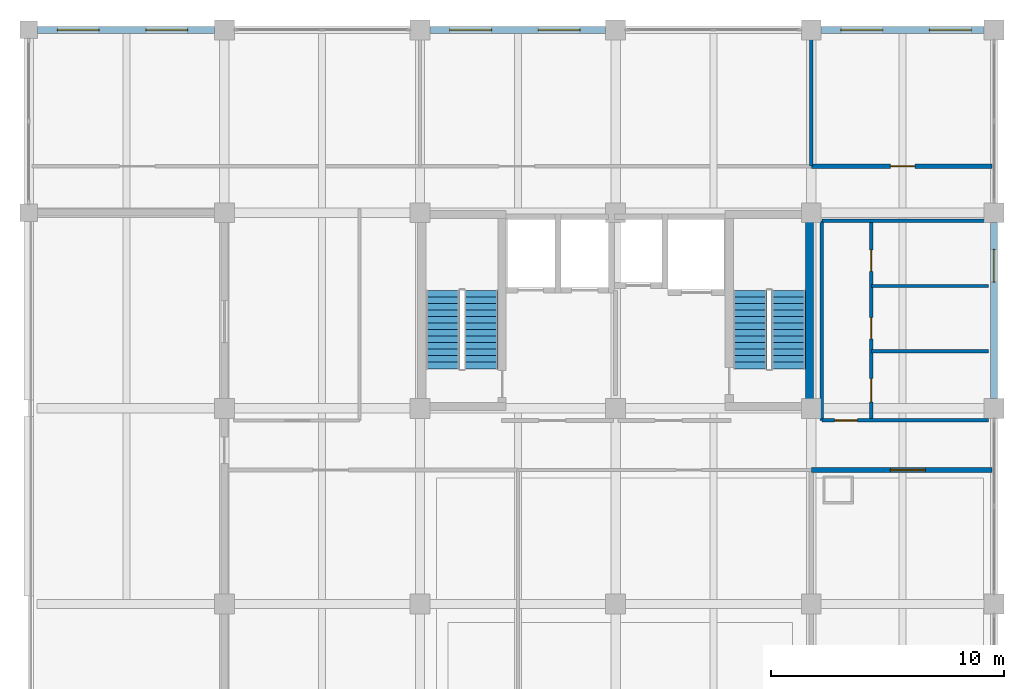
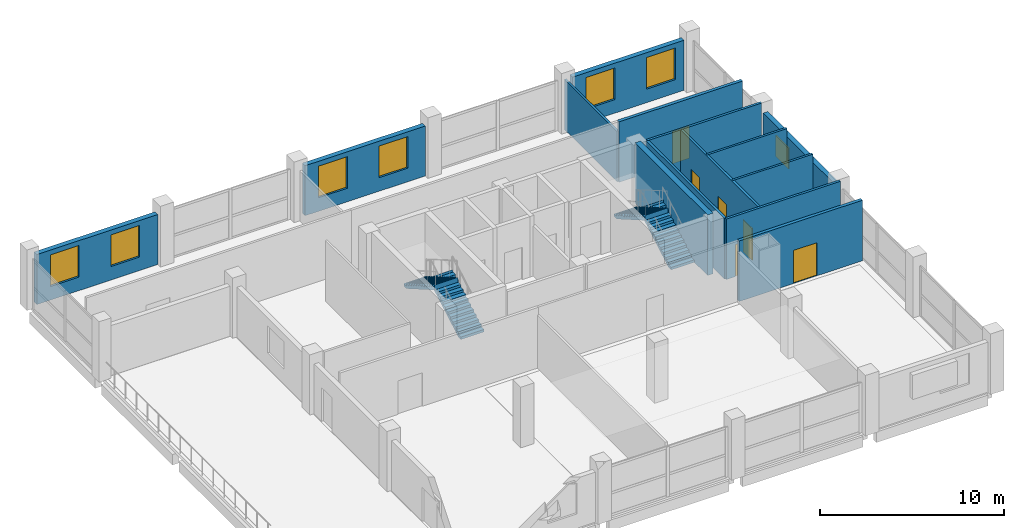
# One storey, part 8 of 10: 14 walls, 7 windows, 6 doors, 4 stair flights, 13 openings, 2 elements without a shape of their own.
"""IFC4 building model written with IfcOpenShell, lengths in metres."""

from ifc_helpers import new_model, si_unit, direction, frame, frame_2d, origin, place, context, subcontext, project, spatial, polyline, rectangle, outline, extrude, material, layer, layer_set, type_object, element, fill, aggregate, save


model = new_model("IFC4")

# Units and contexts
model_context = context("Model", 3, precision=1e-05, world=origin(), true_north=direction((0.0, 1.0)))
body_context = subcontext(model_context, "Body", "Model", "MODEL_VIEW")
ifc_project = project(units=[si_unit("LENGTHUNIT", "METRE"), si_unit("AREAUNIT", "SQUARE_METRE"), si_unit("VOLUMEUNIT", "CUBIC_METRE"), si_unit("PLANEANGLEUNIT", "RADIAN"), si_unit("MASSUNIT", "GRAM", prefix="KILO")], contexts=[model_context])

# Site, building, storey
site_placement = place(None, origin())
site = spatial("IfcSite", under=ifc_project, at=site_placement, CompositionType="ELEMENT")
building_placement = place(site_placement, origin())
building = spatial("IfcBuilding", under=site, at=building_placement, Name="Brinegate Botanical Conservatory", CompositionType="ELEMENT")
storey_placement = place(building_placement, frame((0.0, 0.0, 27.60009765625)))
storey = spatial("IfcBuildingStorey", under=building, at=storey_placement, Name="L07", CompositionType="ELEMENT", Elevation=27.60009765625)

# Wall, openings, windows
ifc_material_1 = material(Name="Insulated Minnan red clay brick masonry", Category="masonry")
ifc_layer_1 = layer(ifc_material_1, 0.300048828125, Name="Insulated Minnan red clay brick masonry", Category="masonry")
ifc_layer_set_1 = layer_set([ifc_layer_1], Name="Insulated Minnan red clay brick masonry")
wall_type_1 = type_object("IfcWallType", Name="Wall_EW-300B", PredefinedType="STANDARD", material=ifc_layer_set_1)
wall_1_placement = place(storey_placement, frame((122.375, 111.449951171875, 0.0), z_axis=(0.0, 0.0, 1.0), x_axis=(1.0, 0.0, 0.0)))
wall_1 = element("IfcWall", 1, at=wall_1_placement, inside=storey, type_object=wall_type_1, Name="Research lab north brick wall L07.1", PredefinedType="STANDARD", context=body_context, shape_type="SweptSolid", body=[
    extrude(rectangle(XDim=7.60009765625, YDim=0.300048828125, at=frame_2d((3.800048828125, 0.0))), origin(), (0.0, 0.0, 1.0), 3.31982421875),
])
opening_1_placement = place(wall_1_placement, frame((0.85009765625, 0.0, 0.89990234375)))
opening_1 = element("IfcOpeningElement", 2, at=opening_1_placement, cuts=wall_1, Name="Opening WN-01", PredefinedType="OPENING", context=body_context, shape_type="SweptSolid", body=[
    extrude(rectangle(XDim=1.800048828125, YDim=2.10009765625, at=frame_2d((0.89990234375, 1.050048828125))), frame((0.0, 0.159912109375, 0.0), z_axis=(0.0, -1.0, 0.0), x_axis=(1.0, 0.0, 0.0)), (0.0, 0.0, 1.0), 0.320068359375),
])
opening_2_placement = place(wall_1_placement, frame((4.64990234375, 0.0, 0.89990234375)))
opening_2 = element("IfcOpeningElement", 3, at=opening_2_placement, cuts=wall_1, Name="Opening WN-01", PredefinedType="OPENING", context=body_context, shape_type="SweptSolid", body=[
    extrude(rectangle(XDim=1.800048828125, YDim=2.10009765625, at=frame_2d((0.89990234375, 1.050048828125))), frame((0.0, 0.159912109375, 0.0), z_axis=(0.0, -1.0, 0.0), x_axis=(1.0, 0.0, 0.0)), (0.0, 0.0, 1.0), 0.320068359375),
])
ifc_material_2 = material(Name="Thermally broken aluminium-framed Low-E glass", Category="aluminium")
window_type_1 = type_object("IfcWindowType", Name="Win_WN-01", PartitioningType="DOUBLE_PANEL_VERTICAL", PredefinedType="WINDOW", material=ifc_material_2)
window_1_placement = place(opening_1_placement, origin())
window_1 = element("IfcWindow", 4, at=window_1_placement, inside=storey, type_object=window_type_1, Name="Research lab north window L07.1A", OverallHeight=2.10009765625, OverallWidth=1.800048828125, PartitioningType="DOUBLE_PANEL_VERTICAL", PredefinedType="WINDOW", context=body_context, shape_type="SweptSolid", body=[
    extrude(rectangle(XDim=1.800048828125, YDim=2.10009765625, at=frame_2d((0.89990234375, 1.050048828125))), frame((0.0, 0.030029296875, 0.0), z_axis=(0.0, -1.0, 0.0), x_axis=(1.0, 0.0, 0.0)), (0.0, 0.0, 1.0), 0.06005859375),
])
fill(opening_1, window_1)
window_2_placement = place(opening_2_placement, origin())
window_2 = element("IfcWindow", 5, at=window_2_placement, inside=storey, type_object=window_type_1, Name="Research lab north window L07.1B", OverallHeight=2.10009765625, OverallWidth=1.800048828125, PartitioningType="DOUBLE_PANEL_VERTICAL", PredefinedType="WINDOW", context=body_context, shape_type="SweptSolid", body=[
    extrude(rectangle(XDim=1.800048828125, YDim=2.10009765625, at=frame_2d((0.89990234375, 1.050048828125))), frame((0.0, 0.030029296875, 0.0), z_axis=(0.0, -1.0, 0.0), x_axis=(1.0, 0.0, 0.0)), (0.0, 0.0, 1.0), 0.06005859375),
])
fill(opening_2, window_2)

wall_2_placement = place(storey_placement, frame((139.22509765625, 111.449951171875, 0.0), z_axis=(0.0, 0.0, 1.0), x_axis=(1.0, 0.0, 0.0)))
wall_2 = element("IfcWall", 6, at=wall_2_placement, inside=storey, type_object=wall_type_1, Name="Research lab north brick wall L07.3", PredefinedType="STANDARD", context=body_context, shape_type="SweptSolid", body=[
    extrude(rectangle(XDim=7.5498046875, YDim=0.300048828125, at=frame_2d((3.77490234375, 0.0))), origin(), (0.0, 0.0, 1.0), 3.31982421875),
])
opening_3_placement = place(wall_2_placement, frame((0.85009765625, 0.0, 0.89990234375)))
opening_3 = element("IfcOpeningElement", 7, at=opening_3_placement, cuts=wall_2, Name="Opening WN-01", PredefinedType="OPENING", context=body_context, shape_type="SweptSolid", body=[
    extrude(rectangle(XDim=1.800048828125, YDim=2.10009765625, at=frame_2d((0.89990234375, 1.050048828125))), frame((0.0, 0.159912109375, 0.0), z_axis=(0.0, -1.0, 0.0), x_axis=(1.0, 0.0, 0.0)), (0.0, 0.0, 1.0), 0.320068359375),
])
opening_4_placement = place(wall_2_placement, frame((4.64990234375, 0.0, 0.89990234375)))
opening_4 = element("IfcOpeningElement", 8, at=opening_4_placement, cuts=wall_2, Name="Opening WN-01", PredefinedType="OPENING", context=body_context, shape_type="SweptSolid", body=[
    extrude(rectangle(XDim=1.800048828125, YDim=2.10009765625, at=frame_2d((0.89990234375, 1.050048828125))), frame((0.0, 0.159912109375, 0.0), z_axis=(0.0, -1.0, 0.0), x_axis=(1.0, 0.0, 0.0)), (0.0, 0.0, 1.0), 0.320068359375),
])
window_3_placement = place(opening_3_placement, origin())
window_3 = element("IfcWindow", 9, at=window_3_placement, inside=storey, type_object=window_type_1, Name="Research lab north window L07.3A", OverallHeight=2.10009765625, OverallWidth=1.800048828125, PartitioningType="DOUBLE_PANEL_VERTICAL", PredefinedType="WINDOW", context=body_context, shape_type="SweptSolid", body=[
    extrude(rectangle(XDim=1.800048828125, YDim=2.10009765625, at=frame_2d((0.89990234375, 1.050048828125))), frame((0.0, 0.030029296875, 0.0), z_axis=(0.0, -1.0, 0.0), x_axis=(1.0, 0.0, 0.0)), (0.0, 0.0, 1.0), 0.06005859375),
])
fill(opening_3, window_3)
window_4_placement = place(opening_4_placement, origin())
window_4 = element("IfcWindow", 10, at=window_4_placement, inside=storey, type_object=window_type_1, Name="Research lab north window L07.3B", OverallHeight=2.10009765625, OverallWidth=1.800048828125, PartitioningType="DOUBLE_PANEL_VERTICAL", PredefinedType="WINDOW", context=body_context, shape_type="SweptSolid", body=[
    extrude(rectangle(XDim=1.800048828125, YDim=2.10009765625, at=frame_2d((0.89990234375, 1.050048828125))), frame((0.0, 0.030029296875, 0.0), z_axis=(0.0, -1.0, 0.0), x_axis=(1.0, 0.0, 0.0)), (0.0, 0.0, 1.0), 0.06005859375),
])
fill(opening_4, window_4)

wall_3_placement = place(storey_placement, frame((156.02490234375, 111.449951171875, 0.0), z_axis=(0.0, 0.0, 1.0), x_axis=(1.0, 0.0, 0.0)))
wall_3 = element("IfcWall", 11, at=wall_3_placement, inside=storey, type_object=wall_type_1, Name="Research lab north brick wall L07.5", PredefinedType="STANDARD", context=body_context, shape_type="SweptSolid", body=[
    extrude(rectangle(XDim=7.0, YDim=0.300048828125, at=frame_2d((3.5, 0.0))), origin(), (0.0, 0.0, 1.0), 3.31982421875),
])
opening_5_placement = place(wall_3_placement, frame((0.85009765625, 0.0, 0.89990234375)))
opening_5 = element("IfcOpeningElement", 12, at=opening_5_placement, cuts=wall_3, Name="Opening WN-01", PredefinedType="OPENING", context=body_context, shape_type="SweptSolid", body=[
    extrude(rectangle(XDim=1.800048828125, YDim=2.10009765625, at=frame_2d((0.89990234375, 1.050048828125))), frame((0.0, 0.159912109375, 0.0), z_axis=(0.0, -1.0, 0.0), x_axis=(1.0, 0.0, 0.0)), (0.0, 0.0, 1.0), 0.320068359375),
])
opening_6_placement = place(wall_3_placement, frame((4.64990234375, 0.0, 0.89990234375)))
opening_6 = element("IfcOpeningElement", 13, at=opening_6_placement, cuts=wall_3, Name="Opening WN-01", PredefinedType="OPENING", context=body_context, shape_type="SweptSolid", body=[
    extrude(rectangle(XDim=1.800048828125, YDim=2.10009765625, at=frame_2d((0.89990234375, 1.050048828125))), frame((0.0, 0.159912109375, 0.0), z_axis=(0.0, -1.0, 0.0), x_axis=(1.0, 0.0, 0.0)), (0.0, 0.0, 1.0), 0.320068359375),
])
window_5_placement = place(opening_5_placement, origin())
window_5 = element("IfcWindow", 14, at=window_5_placement, inside=storey, type_object=window_type_1, Name="Research lab north window L07.5A", OverallHeight=2.10009765625, OverallWidth=1.800048828125, PartitioningType="DOUBLE_PANEL_VERTICAL", PredefinedType="WINDOW", context=body_context, shape_type="SweptSolid", body=[
    extrude(rectangle(XDim=1.800048828125, YDim=2.10009765625, at=frame_2d((0.89990234375, 1.050048828125))), frame((0.0, 0.030029296875, 0.0), z_axis=(0.0, -1.0, 0.0), x_axis=(1.0, 0.0, 0.0)), (0.0, 0.0, 1.0), 0.06005859375),
])
fill(opening_5, window_5)
window_6_placement = place(opening_6_placement, origin())
window_6 = element("IfcWindow", 15, at=window_6_placement, inside=storey, type_object=window_type_1, Name="Research lab north window L07.5B", OverallHeight=2.10009765625, OverallWidth=1.800048828125, PartitioningType="DOUBLE_PANEL_VERTICAL", PredefinedType="WINDOW", context=body_context, shape_type="SweptSolid", body=[
    extrude(rectangle(XDim=1.800048828125, YDim=2.10009765625, at=frame_2d((0.89990234375, 1.050048828125))), frame((0.0, 0.030029296875, 0.0), z_axis=(0.0, -1.0, 0.0), x_axis=(1.0, 0.0, 0.0)), (0.0, 0.0, 1.0), 0.06005859375),
])
fill(opening_6, window_6)

# Wall, opening, window
wall_4_placement = place(storey_placement, frame((163.449951171875, 103.175048828125, 0.0), z_axis=(0.0, 0.0, 1.0), x_axis=(0.0, -1.0, 0.0)))
wall_4 = element("IfcWall", 16, at=wall_4_placement, inside=storey, type_object=wall_type_1, Name="Tower east brick wall L07.3", PredefinedType="STANDARD", context=body_context, shape_type="SweptSolid", body=[
    extrude(rectangle(XDim=7.550048828125, YDim=0.300048828125, at=frame_2d((3.77490234375, 0.0))), origin(), (0.0, 0.0, 1.0), 3.31982421875),
])
opening_7_placement = place(wall_4_placement, frame((1.14990234375, 0.0, 1.10009765625)))
opening_7 = element("IfcOpeningElement", 17, at=opening_7_placement, cuts=wall_4, Name="Opening WN-16", PredefinedType="OPENING", context=body_context, shape_type="SweptSolid", body=[
    extrude(rectangle(XDim=1.39990234375, YDim=1.39990234375, at=frame_2d((0.699951171875, 0.699951171875))), frame((0.0, 0.159912109375, 0.0), z_axis=(0.0, -1.0, 0.0), x_axis=(1.0, 0.0, 0.0)), (0.0, 0.0, 1.0), 0.320068359375),
])
window_type_2 = type_object("IfcWindowType", Name="Win_WN-16", PartitioningType="SINGLE_PANEL", PredefinedType="WINDOW", material=ifc_material_2)
window_7_placement = place(opening_7_placement, origin())
window_7 = element("IfcWindow", 18, at=window_7_placement, inside=storey, type_object=window_type_2, Name="Tower east window L07.3", OverallHeight=1.39990234375, OverallWidth=1.39990234375, PartitioningType="SINGLE_PANEL", PredefinedType="WINDOW", context=body_context, shape_type="SweptSolid", body=[
    extrude(rectangle(XDim=1.39990234375, YDim=1.39990234375, at=frame_2d((0.699951171875, 0.699951171875))), frame((0.0, 0.030029296875, 0.0), z_axis=(0.0, -1.0, 0.0), x_axis=(1.0, 0.0, 0.0)), (0.0, 0.0, 1.0), 0.06005859375),
])
fill(opening_7, window_7)

# Walls
ifc_material_3 = material(Name="Gypsum-clad steel-stud partition", Category="steel")
ifc_layer_2 = layer(ifc_material_3, 0.135009765625, Name="Gypsum-clad steel-stud partition", Category="steel")
ifc_layer_set_2 = layer_set([ifc_layer_2], Name="Gypsum-clad steel-stud partition")
wall_type_2 = type_object("IfcWallType", Name="Wall_PW-135", PredefinedType="PARTITIONING", material=ifc_layer_set_2)
for number, where, z_axis, x_axis, name in (
    (19, (158.179931640625, 97.64990234375, 0.0), (0.0, 0.0, 1.0), (1.0, 0.0, 0.0), "Interior partition P-L07-WCD-9765"),
    (20, (158.179931640625, 100.449951171875, 0.0), (0.0, 0.0, 1.0), (1.0, 0.0, 0.0), "Interior partition P-L07-WCD-10045"),
):
    element("IfcWall", number, at=place(storey_placement, frame(where, z_axis=z_axis, x_axis=x_axis)), inside=storey, type_object=wall_type_2, Name=name, PredefinedType="PARTITIONING", context=body_context, shape_type="SweptSolid", body=[
        extrude(rectangle(XDim=5.02001953125, YDim=0.135009765625, at=frame_2d((2.510009765625, 0.0))), origin(), (0.0, 0.0, 1.0), 4.02001953125),
    ])
wall_5_placement = place(storey_placement, frame((155.60009765625, 105.60009765625, 0.0), z_axis=(0.0, 0.0, 1.0), x_axis=(0.0, 1.0, 0.0)))
element("IfcWall", 21, at=wall_5_placement, inside=storey, type_object=wall_type_2, Name="Interior partition P-L07-NDIV-N3", PredefinedType="PARTITIONING", context=body_context, shape_type="SweptSolid", body=[
    extrude(rectangle(XDim=5.75, YDim=0.135009765625, at=frame_2d((2.875, 0.0))), origin(), (0.0, 0.0, 1.0), 3.31982421875),
])

# Wall, opening, door
ifc_material_4 = material(Name="Moisture-resistant cement-board partition", Category="gypsum")
ifc_layer_3 = layer(ifc_material_4, 0.14990234375, Name="Moisture-resistant cement-board partition", Category="gypsum")
ifc_layer_set_3 = layer_set([ifc_layer_3], Name="Moisture-resistant cement-board partition")
wall_type_3 = type_object("IfcWallType", Name="Wall_PW-150W", PredefinedType="PARTITIONING", material=ifc_layer_set_3)
wall_6_placement = place(storey_placement, frame((156.050048828125, 94.679931640625, 0.0), z_axis=(0.0, 0.0, 1.0), x_axis=(1.0, 0.0, 0.0)))
wall_6 = element("IfcWall", 22, at=wall_6_placement, inside=storey, type_object=wall_type_3, Name="Interior partition P-L07-WCS", PredefinedType="PARTITIONING", context=body_context, shape_type="SweptSolid", body=[
    extrude(rectangle(XDim=7.14990234375, YDim=0.14990234375, at=frame_2d((3.574951171875, 0.0))), origin(), (0.0, 0.0, 1.0), 4.02001953125),
])
opening_8_placement = place(wall_6_placement, frame((0.550048828125, 0.0, 0.0)))
opening_8 = element("IfcOpeningElement", 23, at=opening_8_placement, cuts=wall_6, Name="Opening DR-03", PredefinedType="OPENING", context=body_context, shape_type="SweptSolid", body=[
    extrude(rectangle(XDim=0.97998046875, YDim=2.1201171875, at=frame_2d((0.489990234375, 1.06005859375))), frame((0.0, 0.0849609375, 0.0), z_axis=(0.0, -1.0, 0.0), x_axis=(1.0, 0.0, 0.0)), (0.0, 0.0, 1.0), 0.169921875),
])
ifc_material_5 = material(Name="Steel-core hardwood smoke-sealed fire door", Category="steel")
door_type_1 = type_object("IfcDoorType", Name="Door_DR-03", OperationType="NOTDEFINED", PredefinedType="DOOR", material=ifc_material_5)
door_1_placement = place(opening_8_placement, origin())
door_1 = element("IfcDoor", 24, at=door_1_placement, inside=storey, type_object=door_type_1, Name="DR-P-L07-WCS-1", OperationType="SINGLE_SWING_LEFT", OverallHeight=2.1201171875, OverallWidth=0.97998046875, PredefinedType="DOOR", context=body_context, shape_type="SweptSolid", body=[
    extrude(rectangle(XDim=0.97998046875, YDim=2.1201171875, at=frame_2d((0.489990234375, 1.06005859375))), frame((0.0, 0.02490234375, 0.0), z_axis=(0.0, -1.0, 0.0), x_axis=(1.0, 0.0, 0.0)), (0.0, 0.0, 1.0), 0.050048828125),
])
fill(opening_8, door_1)

# Wall, openings, doors
wall_7_placement = place(storey_placement, frame((158.179931640625, 94.679931640625, 0.0), z_axis=(0.0, 0.0, 1.0), x_axis=(0.0, 1.0, 0.0)))
wall_7 = element("IfcWall", 25, at=wall_7_placement, inside=storey, type_object=wall_type_3, Name="Interior partition P-L07-WCW", PredefinedType="PARTITIONING", context=body_context, shape_type="SweptSolid", body=[
    extrude(rectangle(XDim=8.570068359375, YDim=0.14990234375, at=frame_2d((4.28515625, 0.0))), origin(), (0.0, 0.0, 1.0), 4.02001953125),
])
opening_9_placement = place(wall_7_placement, frame((0.800048828125, 0.0, 0.0)))
opening_9 = element("IfcOpeningElement", 26, at=opening_9_placement, cuts=wall_7, Name="Opening DR-ACC", PredefinedType="OPENING", context=body_context, shape_type="SweptSolid", body=[
    extrude(rectangle(XDim=1.0, YDim=2.1201171875, at=frame_2d((0.5, 1.06005859375))), frame((0.0, 0.0849609375, 0.0), z_axis=(0.0, -1.0, 0.0), x_axis=(1.0, 0.0, 0.0)), (0.0, 0.0, 1.0), 0.169921875),
])
opening_10_placement = place(wall_7_placement, frame((3.5, 0.0, 0.0)))
opening_10 = element("IfcOpeningElement", 27, at=opening_10_placement, cuts=wall_7, Name="Opening DR-04", PredefinedType="OPENING", context=body_context, shape_type="SweptSolid", body=[
    extrude(rectangle(XDim=0.919921875, YDim=2.10009765625, at=frame_2d((0.4599609375, 1.050048828125))), frame((0.0, 0.0849609375, 0.0), z_axis=(0.0, -1.0, 0.0), x_axis=(1.0, 0.0, 0.0)), (0.0, 0.0, 1.0), 0.169921875),
])
opening_11_placement = place(wall_7_placement, frame((6.39990234375, 0.0, 0.0)))
opening_11 = element("IfcOpeningElement", 28, at=opening_11_placement, cuts=wall_7, Name="Opening DR-04", PredefinedType="OPENING", context=body_context, shape_type="SweptSolid", body=[
    extrude(rectangle(XDim=0.919921875, YDim=2.10009765625, at=frame_2d((0.4599609375, 1.050048828125))), frame((0.0, 0.0849609375, 0.0), z_axis=(0.0, -1.0, 0.0), x_axis=(1.0, 0.0, 0.0)), (0.0, 0.0, 1.0), 0.169921875),
])
ifc_material_6 = material(Name="Moisture-resistant laminate timber leaf", Category="wood")
door_type_2 = type_object("IfcDoorType", Name="Door_DR-04", OperationType="NOTDEFINED", PredefinedType="DOOR", material=ifc_material_6)
door_2_placement = place(opening_10_placement, origin())
door_2 = element("IfcDoor", 29, at=door_2_placement, inside=storey, type_object=door_type_2, Name="DR-P-L07-WCW-2", OperationType="SINGLE_SWING_RIGHT", OverallHeight=2.10009765625, OverallWidth=0.919921875, PredefinedType="DOOR", context=body_context, shape_type="SweptSolid", body=[
    extrude(rectangle(XDim=0.919921875, YDim=2.10009765625, at=frame_2d((0.4599609375, 1.050048828125))), frame((0.0, 0.02490234375, 0.0), z_axis=(0.0, -1.0, 0.0), x_axis=(1.0, 0.0, 0.0)), (0.0, 0.0, 1.0), 0.050048828125),
])
fill(opening_10, door_2)
door_3_placement = place(opening_11_placement, origin())
door_3 = element("IfcDoor", 30, at=door_3_placement, inside=storey, type_object=door_type_2, Name="DR-P-L07-WCW-3", OperationType="SINGLE_SWING_LEFT", OverallHeight=2.10009765625, OverallWidth=0.919921875, PredefinedType="DOOR", context=body_context, shape_type="SweptSolid", body=[
    extrude(rectangle(XDim=0.919921875, YDim=2.10009765625, at=frame_2d((0.4599609375, 1.050048828125))), frame((0.0, 0.02490234375, 0.0), z_axis=(0.0, -1.0, 0.0), x_axis=(1.0, 0.0, 0.0)), (0.0, 0.0, 1.0), 0.050048828125),
])
fill(opening_11, door_3)
ifc_material_7 = material(Name="Moisture-resistant barrier-free timber leaf", Category="wood")
door_type_3 = type_object("IfcDoorType", Name="Door_DR-ACC", OperationType="NOTDEFINED", PredefinedType="DOOR", material=ifc_material_7)
door_4_placement = place(opening_9_placement, origin())
door_4 = element("IfcDoor", 31, at=door_4_placement, inside=storey, type_object=door_type_3, Name="DR-P-L07-WCW-1", OperationType="SINGLE_SWING_LEFT", OverallHeight=2.1201171875, OverallWidth=1.0, PredefinedType="DOOR", context=body_context, shape_type="SweptSolid", body=[
    extrude(rectangle(XDim=1.0, YDim=2.1201171875, at=frame_2d((0.5, 1.06005859375))), frame((0.0, 0.02490234375, 0.0), z_axis=(0.0, -1.0, 0.0), x_axis=(1.0, 0.0, 0.0)), (0.0, 0.0, 1.0), 0.050048828125),
])
fill(opening_9, door_4)

# Walls
wall_8_placement = place(storey_placement, frame((156.050048828125, 103.25, 0.0), z_axis=(0.0, 0.0, 1.0), x_axis=(1.0, 0.0, 0.0)))
element("IfcWall", 32, at=wall_8_placement, inside=storey, type_object=wall_type_3, Name="Interior partition P-L07-WCN", PredefinedType="PARTITIONING", context=body_context, shape_type="SweptSolid", body=[
    extrude(rectangle(XDim=7.14990234375, YDim=0.14990234375, at=frame_2d((3.574951171875, 0.0))), origin(), (0.0, 0.0, 1.0), 4.02001953125),
])
wall_9_placement = place(storey_placement, frame((156.050048828125, 94.679931640625, 0.0), z_axis=(0.0, 0.0, 1.0), x_axis=(0.0, 1.0, 0.0)))
element("IfcWall", 33, at=wall_9_placement, inside=storey, type_object=wall_type_3, Name="Interior partition P-L07-WCWW", PredefinedType="PARTITIONING", context=body_context, shape_type="SweptSolid", body=[
    extrude(rectangle(XDim=8.570068359375, YDim=0.14990234375, at=frame_2d((4.28515625, 0.0))), origin(), (0.0, 0.0, 1.0), 4.02001953125),
])

# Wall, opening, door
ifc_material_8 = material(Name="Autoclaved aerated concrete C40/50 blockwork", Category="masonry")
ifc_layer_4 = layer(ifc_material_8, 0.199951171875, Name="Autoclaved aerated concrete C40/50 blockwork", Category="masonry")
ifc_layer_set_4 = layer_set([ifc_layer_4], Name="Autoclaved aerated concrete C40/50 blockwork")
wall_type_4 = type_object("IfcWallType", Name="Wall_PW-200F", PredefinedType="SOLIDWALL", material=ifc_layer_set_4)
wall_10_placement = place(storey_placement, frame((155.60009765625, 105.60009765625, 0.0), z_axis=(0.0, 0.0, 1.0), x_axis=(1.0, 0.0, 0.0)))
wall_10 = element("IfcWall", 34, at=wall_10_placement, inside=storey, type_object=wall_type_4, Name="Interior partition P-L07-NB-N3", PredefinedType="SOLIDWALL", context=body_context, shape_type="SweptSolid", body=[
    extrude(rectangle(XDim=7.75, YDim=0.199951171875, at=frame_2d((3.875, 0.0))), origin(), (0.0, 0.0, 1.0), 4.02001953125),
])
opening_12_placement = place(wall_10_placement, frame((3.39990234375, 0.0, 0.0)))
opening_12 = element("IfcOpeningElement", 35, at=opening_12_placement, cuts=wall_10, Name="Opening FD-B2", PredefinedType="OPENING", context=body_context, shape_type="SweptSolid", body=[
    extrude(rectangle(XDim=1.050048828125, YDim=2.14990234375, at=frame_2d((0.52490234375, 1.074951171875))), frame((0.0, 0.10986328125, 0.0), z_axis=(0.0, -1.0, 0.0), x_axis=(1.0, 0.0, 0.0)), (0.0, 0.0, 1.0), 0.219970703125),
])
ifc_material_9 = material(Name="Steel fire door assembly", Category="steel")
door_type_4 = type_object("IfcDoorType", Name="Door_FD-B2", OperationType="NOTDEFINED", PredefinedType="DOOR", material=ifc_material_9)
door_5_placement = place(opening_12_placement, origin())
door_5 = element("IfcDoor", 36, at=door_5_placement, inside=storey, type_object=door_type_4, Name="DR-P-L07-NB-N3-1", OperationType="SINGLE_SWING_LEFT", OverallHeight=2.14990234375, OverallWidth=1.050048828125, PredefinedType="DOOR", context=body_context, shape_type="SweptSolid", body=[
    extrude(rectangle(XDim=1.050048828125, YDim=2.14990234375, at=frame_2d((0.52490234375, 1.074951171875))), frame((0.0, 0.02490234375, 0.0), z_axis=(0.0, -1.0, 0.0), x_axis=(1.0, 0.0, 0.0)), (0.0, 0.0, 1.0), 0.050048828125),
])
fill(opening_12, door_5)

wall_11_placement = place(storey_placement, frame((155.60009765625, 92.550048828125, 0.0), z_axis=(0.0, 0.0, 1.0), x_axis=(1.0, 0.0, 0.0)))
wall_11 = element("IfcWall", 37, at=wall_11_placement, inside=storey, type_object=wall_type_4, Name="Interior partition P-L07-SB-S3", PredefinedType="SOLIDWALL", context=body_context, shape_type="SweptSolid", body=[
    extrude(rectangle(XDim=7.75, YDim=0.199951171875, at=frame_2d((3.875, 0.0))), origin(), (0.0, 0.0, 1.0), 4.02001953125),
])
opening_13_placement = place(wall_11_placement, frame((3.39990234375, 0.0, 0.0)))
opening_13 = element("IfcOpeningElement", 38, at=opening_13_placement, cuts=wall_11, Name="Opening FD-A2", PredefinedType="OPENING", context=body_context, shape_type="SweptSolid", body=[
    extrude(rectangle(XDim=1.5, YDim=2.199951171875, at=frame_2d((0.75, 1.10009765625))), frame((0.0, 0.10986328125, 0.0), z_axis=(0.0, -1.0, 0.0), x_axis=(1.0, 0.0, 0.0)), (0.0, 0.0, 1.0), 0.219970703125),
])
ifc_material_10 = material(Name="Steel fire-rated double-leaf assembly", Category="steel")
door_type_5 = type_object("IfcDoorType", Name="Door_FD-A2", OperationType="NOTDEFINED", PredefinedType="DOOR", material=ifc_material_10)
door_6_placement = place(opening_13_placement, origin())
door_6 = element("IfcDoor", 39, at=door_6_placement, inside=storey, type_object=door_type_5, Name="DR-P-L07-SB-S3-1", OperationType="SINGLE_SWING_RIGHT", OverallHeight=2.199951171875, OverallWidth=1.5, PredefinedType="DOOR", context=body_context, shape_type="SweptSolid", body=[
    extrude(rectangle(XDim=1.5, YDim=2.199951171875, at=frame_2d((0.75, 1.10009765625))), frame((0.0, 0.02490234375, 0.0), z_axis=(0.0, -1.0, 0.0), x_axis=(1.0, 0.0, 0.0)), (0.0, 0.0, 1.0), 0.050048828125),
])
fill(opening_13, door_6)

# Wall
ifc_material_11 = material(Name="Concrete C40/50", Category="concrete")
ifc_layer_5 = layer(ifc_material_11, 0.35009765625, Name="Concrete C40/50", Category="concrete")
ifc_layer_set_5 = layer_set([ifc_layer_5], Name="Concrete C40/50")
wall_type_5 = type_object("IfcWallType", Name="Wall_SW-350", PredefinedType="SHEAR", material=ifc_layer_set_5)
wall_12_placement = place(storey_placement, frame((155.52490234375, 95.449951171875, 0.0), z_axis=(0.0, 0.0, 1.0), x_axis=(0.0, 1.0, 0.0)))
element("IfcWall", 40, at=wall_12_placement, inside=storey, type_object=wall_type_5, Name="Stairwell ST2 shear wall L07 E", PredefinedType="SHEAR", context=body_context, shape_type="SweptSolid", body=[
    extrude(rectangle(XDim=7.900146484375, YDim=0.35009765625, at=frame_2d((3.9501953125, 0.0))), origin(), (0.0, 0.0, 1.0), 4.02001953125),
])

# Stair, stair flights
stair_type = type_object("IfcStairType", Name="Stair_HT-4200", PredefinedType="HALF_TURN_STAIR", material=ifc_material_11)
stair_1_placement = place(storey_placement, origin())
stair_1 = element("IfcStair", 41, at=stair_1_placement, inside=storey, type_object=stair_type, Name="L07 Tower West Smoke-Proof Stair ST1", PredefinedType="HALF_TURN_STAIR")
stair_flight_type = type_object("IfcStairFlightType", Name="Flight_SF-4200", PredefinedType="STRAIGHT", material=ifc_material_11)
stair_flight_1_placement = place(storey_placement, frame((141.425048828125, 96.89990234375, 0.0), z_axis=(0.0, 0.0, 1.0), x_axis=(0.0, 1.0, 0.0)))
stair_flight_1 = element("IfcStairFlight", 42, at=stair_flight_1_placement, type_object=stair_flight_type, Name="ST1 flight 1", NumberOfRisers=13, NumberOfTreads=12, PredefinedType="STRAIGHT", RiserHeight=0.161538462, TreadLength=0.28, context=body_context, shape_type="SweptSolid", body=[
    extrude(outline(polyline([(-0.00048828125, 0.0), (-0.00048828125, 0.16162109375), (0.280029296875, 0.16162109375), (0.280029296875, 0.322998046875), (0.56005859375, 0.322998046875), (0.56005859375, 0.484619140625), (0.840087890625, 0.484619140625), (0.840087890625, 0.646240234375), (1.1201171875, 0.646240234375), (1.1201171875, 0.8076171875), (1.39990234375, 0.8076171875), (1.39990234375, 0.96923828125), (1.679931640625, 0.96923828125), (1.679931640625, 1.130859375), (1.9599609375, 1.130859375), (1.9599609375, 1.292236328125), (2.239990234375, 1.292236328125), (2.239990234375, 1.453857421875), (2.52001953125, 1.453857421875), (2.52001953125, 1.615478515625), (2.800048828125, 1.615478515625), (2.800048828125, 1.77685546875), (3.080078125, 1.77685546875), (3.080078125, 1.9384765625), (3.360107421875, 1.9384765625), (3.360107421875, 2.10009765625), (3.360595703125, 2.10009765625), (3.360595703125, 1.765380859375), (0.300048828125, 0.0), (-0.00048828125, 0.0)])), frame((0.0, 0.72509765625, 0.0), z_axis=(0.0, -1.0, 0.0), x_axis=(1.0, 0.0, 0.0)), (0.0, 0.0, 1.0), 1.449951171875),
])
stair_flight_2_placement = place(storey_placement, frame((139.77490234375, 100.260009765625, 2.099853515625), z_axis=(0.0, 0.0, 1.0), x_axis=(0.0, -1.0, 0.0)))
stair_flight_2 = element("IfcStairFlight", 43, at=stair_flight_2_placement, type_object=stair_flight_type, Name="ST1 flight 2", NumberOfRisers=13, NumberOfTreads=12, PredefinedType="STRAIGHT", RiserHeight=0.161538462, TreadLength=0.28, context=body_context, shape_type="SweptSolid", body=[
    extrude(outline(polyline([(-0.00048828125, 0.0), (-0.00048828125, 0.16162109375), (0.280029296875, 0.16162109375), (0.280029296875, 0.322998046875), (0.56005859375, 0.322998046875), (0.56005859375, 0.484619140625), (0.840087890625, 0.484619140625), (0.840087890625, 0.646240234375), (1.1201171875, 0.646240234375), (1.1201171875, 0.8076171875), (1.39990234375, 0.8076171875), (1.39990234375, 0.96923828125), (1.679931640625, 0.96923828125), (1.679931640625, 1.130859375), (1.9599609375, 1.130859375), (1.9599609375, 1.292236328125), (2.239990234375, 1.292236328125), (2.239990234375, 1.453857421875), (2.52001953125, 1.453857421875), (2.52001953125, 1.615478515625), (2.800048828125, 1.615478515625), (2.800048828125, 1.77685546875), (3.080078125, 1.77685546875), (3.080078125, 1.9384765625), (3.360107421875, 1.9384765625), (3.360107421875, 2.10009765625), (3.360595703125, 2.10009765625), (3.360595703125, 1.765380859375), (0.300048828125, 0.0), (-0.00048828125, 0.0)])), frame((0.0, 0.72509765625, 0.0), z_axis=(0.0, -1.0, 0.0), x_axis=(1.0, 0.0, 0.0)), (0.0, 0.0, 1.0), 1.449951171875),
])
aggregate(stair_1, [stair_flight_1, stair_flight_2])

stair_2_placement = place(storey_placement, origin())
stair_2 = element("IfcStair", 44, at=stair_2_placement, inside=storey, type_object=stair_type, Name="L07 Tower East Smoke-Proof Stair ST2", PredefinedType="HALF_TURN_STAIR")
stair_flight_3_placement = place(storey_placement, frame((154.625, 96.89990234375, 0.0), z_axis=(0.0, 0.0, 1.0), x_axis=(0.0, 1.0, 0.0)))
stair_flight_3 = element("IfcStairFlight", 45, at=stair_flight_3_placement, type_object=stair_flight_type, Name="ST2 flight 1", NumberOfRisers=13, NumberOfTreads=12, PredefinedType="STRAIGHT", RiserHeight=0.161538462, TreadLength=0.28, context=body_context, shape_type="SweptSolid", body=[
    extrude(outline(polyline([(-0.00048828125, 0.0), (-0.00048828125, 0.16162109375), (0.280029296875, 0.16162109375), (0.280029296875, 0.322998046875), (0.56005859375, 0.322998046875), (0.56005859375, 0.484619140625), (0.840087890625, 0.484619140625), (0.840087890625, 0.646240234375), (1.1201171875, 0.646240234375), (1.1201171875, 0.8076171875), (1.39990234375, 0.8076171875), (1.39990234375, 0.96923828125), (1.679931640625, 0.96923828125), (1.679931640625, 1.130859375), (1.9599609375, 1.130859375), (1.9599609375, 1.292236328125), (2.239990234375, 1.292236328125), (2.239990234375, 1.453857421875), (2.52001953125, 1.453857421875), (2.52001953125, 1.615478515625), (2.800048828125, 1.615478515625), (2.800048828125, 1.77685546875), (3.080078125, 1.77685546875), (3.080078125, 1.9384765625), (3.360107421875, 1.9384765625), (3.360107421875, 2.10009765625), (3.360595703125, 2.10009765625), (3.360595703125, 1.765380859375), (0.300048828125, 0.0), (-0.00048828125, 0.0)])), frame((0.0, 0.72509765625, 0.0), z_axis=(0.0, -1.0, 0.0), x_axis=(1.0, 0.0, 0.0)), (0.0, 0.0, 1.0), 1.449951171875),
])
stair_flight_4_placement = place(storey_placement, frame((152.97509765625, 100.260009765625, 2.099853515625), z_axis=(0.0, 0.0, 1.0), x_axis=(0.0, -1.0, 0.0)))
stair_flight_4 = element("IfcStairFlight", 46, at=stair_flight_4_placement, type_object=stair_flight_type, Name="ST2 flight 2", NumberOfRisers=13, NumberOfTreads=12, PredefinedType="STRAIGHT", RiserHeight=0.161538462, TreadLength=0.28, context=body_context, shape_type="SweptSolid", body=[
    extrude(outline(polyline([(-0.00048828125, 0.0), (-0.00048828125, 0.16162109375), (0.280029296875, 0.16162109375), (0.280029296875, 0.322998046875), (0.56005859375, 0.322998046875), (0.56005859375, 0.484619140625), (0.840087890625, 0.484619140625), (0.840087890625, 0.646240234375), (1.1201171875, 0.646240234375), (1.1201171875, 0.8076171875), (1.39990234375, 0.8076171875), (1.39990234375, 0.96923828125), (1.679931640625, 0.96923828125), (1.679931640625, 1.130859375), (1.9599609375, 1.130859375), (1.9599609375, 1.292236328125), (2.239990234375, 1.292236328125), (2.239990234375, 1.453857421875), (2.52001953125, 1.453857421875), (2.52001953125, 1.615478515625), (2.800048828125, 1.615478515625), (2.800048828125, 1.77685546875), (3.080078125, 1.77685546875), (3.080078125, 1.9384765625), (3.360107421875, 1.9384765625), (3.360107421875, 2.10009765625), (3.360595703125, 2.10009765625), (3.360595703125, 1.765380859375), (0.300048828125, 0.0), (-0.00048828125, 0.0)])), frame((0.0, 0.72509765625, 0.0), z_axis=(0.0, -1.0, 0.0), x_axis=(1.0, 0.0, 0.0)), (0.0, 0.0, 1.0), 1.449951171875),
])
aggregate(stair_2, [stair_flight_3, stair_flight_4])

save(model, "model.ifc")
